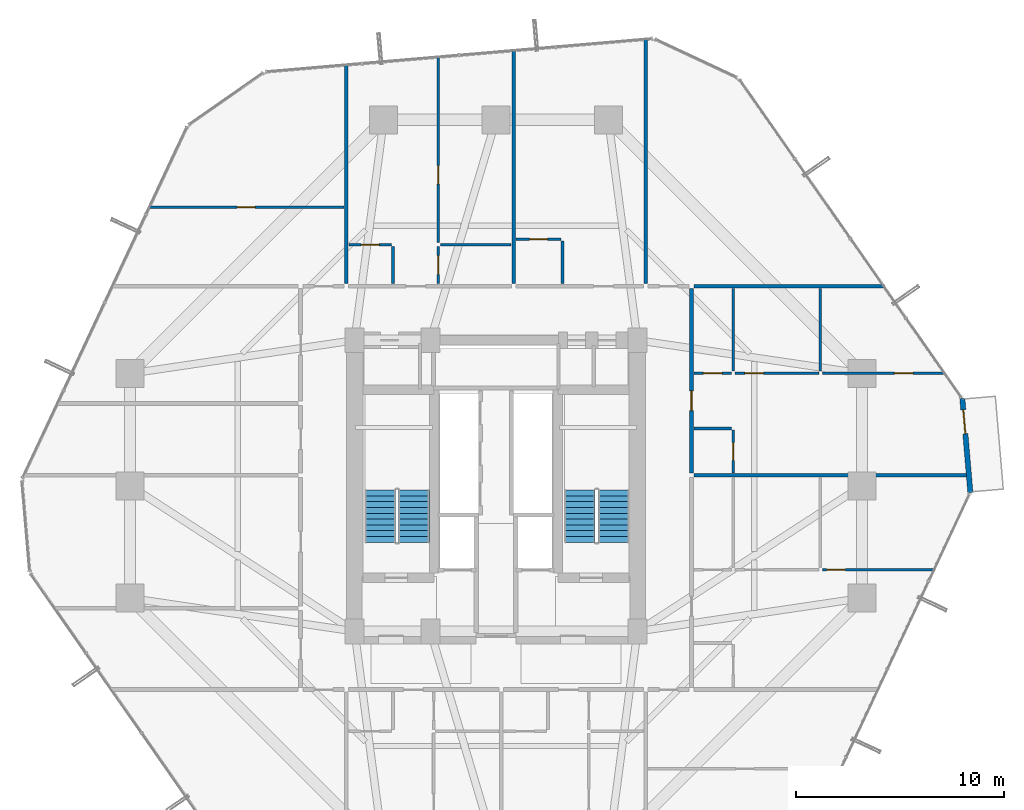
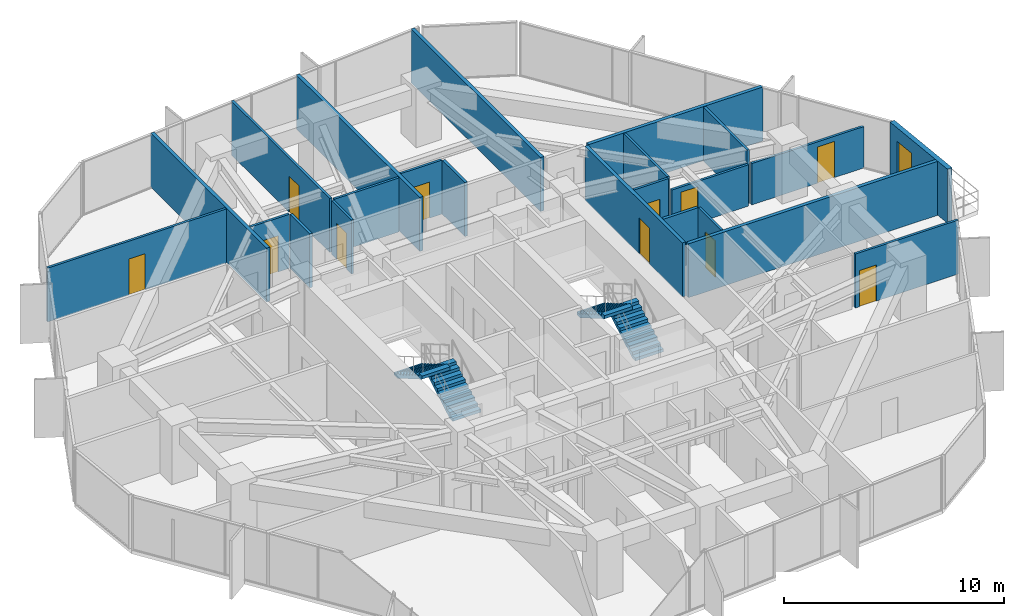
# One storey, part 35 of 37: 23 walls, 12 doors, 4 stair flights, 12 openings, 2 elements without a shape of their own.
"""IFC4 building model written with IfcOpenShell, lengths in metres."""

from ifc_helpers import new_model, si_unit, direction, frame, frame_2d, origin, place, context, subcontext, project, spatial, polyline, rectangle, outline, extrude, source, transform, mapped, material, layer, layer_set, type_object, element, fill, aggregate, save


model = new_model("IFC4")

# Units and contexts
model_context = context("Model", 3, precision=1e-05, world=origin(), true_north=direction((0.0, 1.0)))
body_context = subcontext(model_context, "Body", "Model", "MODEL_VIEW")
ifc_project = project(units=[si_unit("LENGTHUNIT", "METRE"), si_unit("AREAUNIT", "SQUARE_METRE"), si_unit("VOLUMEUNIT", "CUBIC_METRE"), si_unit("PLANEANGLEUNIT", "RADIAN"), si_unit("MASSUNIT", "GRAM", prefix="KILO")], contexts=[model_context])

# Site, building, storey
site_placement = place(None, origin())
site = spatial("IfcSite", under=ifc_project, at=site_placement, CompositionType="ELEMENT")
building_placement = place(site_placement, origin())
building = spatial("IfcBuilding", under=site, at=building_placement, Name="Veraguas Prism Commons", CompositionType="ELEMENT")
storey_placement = place(building_placement, frame((0.0, 0.0, 40.300048828125)))
storey = spatial("IfcBuildingStorey", under=building, at=storey_placement, Name="L10", CompositionType="ELEMENT", Elevation=40.300048828125)

# Walls
ifc_material_1 = material(Name="Autoclaved aerated masonry block 10 MPa", Category="masonry")
ifc_layer_1 = layer(ifc_material_1, 0.179931640625, Name="Corridor and Inter-Tenancy Partition 180", Category="masonry")
ifc_layer_set_1 = layer_set([ifc_layer_1], Name="Autoclaved aerated masonry block 10 MPa")
wall_type_1 = type_object("IfcWallType", Name="Corridor and Inter-Tenancy Partition 180", PredefinedType="PARTITIONING", material=ifc_layer_set_1)
wall_1_placement = place(storey_placement, frame((16.800048828125, 33.719970703125, 0.0), z_axis=(0.0, 0.0, 1.0), x_axis=(0.0, 1.0, 0.0)))
element("IfcWall", 1, at=wall_1_placement, inside=storey, type_object=wall_type_1, Name="WL-L10-PT016", PredefinedType="PARTITIONING", context=body_context, shape_type="SweptSolid", body=[
    extrude(rectangle(XDim=10.5537109375, YDim=0.179931640625, at=frame_2d((5.27685546875, 0.0))), origin(), (0.0, 0.0, 1.0), 3.0),
])
wall_2_placement = place(storey_placement, frame((31.199951171875, 33.719970703125, 0.0), z_axis=(0.0, 0.0, 1.0), x_axis=(0.0, 1.0, 0.0)))
element("IfcWall", 2, at=wall_2_placement, inside=storey, type_object=wall_type_1, Name="WL-L10-PT017", PredefinedType="PARTITIONING", context=body_context, shape_type="SweptSolid", body=[
    extrude(rectangle(XDim=11.788330078125, YDim=0.179931640625, at=frame_2d((5.89404296875, 0.0))), origin(), (0.0, 0.0, 1.0), 3.0),
])
wall_3_placement = place(storey_placement, frame((24.85205078125, 33.719970703125, 0.0), z_axis=(0.0, 0.0, 1.0), x_axis=(0.0, 1.0, 0.0)))
element("IfcWall", 3, at=wall_3_placement, inside=storey, type_object=wall_type_1, Name="WL-L10-PT024", PredefinedType="PARTITIONING", context=body_context, shape_type="SweptSolid", body=[
    extrude(rectangle(XDim=11.244140625, YDim=0.179931640625, at=frame_2d((5.6220703125, 0.0))), origin(), (0.0, 0.0, 1.0), 3.0),
])
wall_4_placement = place(storey_placement, frame((33.52001953125, 33.60009765625, 0.0), z_axis=(0.0, 0.0, 1.0), x_axis=(1.0, 0.0, 0.0)))
element("IfcWall", 4, at=wall_4_placement, inside=storey, type_object=wall_type_1, Name="WL-L10-PT038", PredefinedType="PARTITIONING", context=body_context, shape_type="SweptSolid", body=[
    extrude(rectangle(XDim=9.161865234375, YDim=0.179931640625, at=frame_2d((4.5810546875, 0.0))), origin(), (0.0, 0.0, 1.0), 3.0),
])
wall_5_placement = place(storey_placement, frame((33.52001953125, 24.508056640625, 0.0), z_axis=(0.0, 0.0, 1.0), x_axis=(1.0, 0.0, 0.0)))
element("IfcWall", 5, at=wall_5_placement, inside=storey, type_object=wall_type_1, Name="WL-L10-PT047", PredefinedType="PARTITIONING", context=body_context, shape_type="SweptSolid", body=[
    extrude(rectangle(XDim=13.250732421875, YDim=0.179931640625, at=frame_2d((6.62548828125, 0.0))), origin(), (0.0, 0.0, 1.0), 3.0),
])

# Wall, opening, door
wall_6_placement = place(storey_placement, frame((33.39990234375, 24.617919921875, 0.0), z_axis=(0.0, 0.0, 1.0), x_axis=(0.0, 1.0, 0.0)))
wall_6 = element("IfcWall", 6, at=wall_6_placement, inside=storey, type_object=wall_type_1, Name="WL-L10-PT048", PredefinedType="PARTITIONING", context=body_context, shape_type="SweptSolid", body=[
    extrude(rectangle(XDim=8.8720703125, YDim=0.179931640625, at=frame_2d((4.43603515625, 0.0))), origin(), (0.0, 0.0, 1.0), 3.0),
])
opening_1_placement = place(wall_6_placement, frame((2.9951171875, 0.0, 0.0)))
opening_1 = element("IfcOpeningElement", 7, at=opening_1_placement, cuts=wall_6, Name="Opening DR-01", PredefinedType="OPENING", context=body_context, shape_type="SweptSolid", body=[
    extrude(rectangle(XDim=0.949951171875, YDim=2.02001953125, at=frame_2d((0.47509765625, 1.010009765625))), frame((0.0, 0.099853515625, 0.0), z_axis=(0.0, -1.0, 0.0), x_axis=(1.0, 0.0, 0.0)), (0.0, 0.0, 1.0), 0.199951171875),
])
ifc_material_2 = material(Name="Anodised aluminium EN AW-6063 T6", Category="aluminium")
door_type_1 = type_object("IfcDoorType", Name="Apartment Entrance Fire Door 950x2020", OperationType="NOTDEFINED", PredefinedType="DOOR", material=ifc_material_2)
shared_shape_1 = source(origin(), body_context, "Body", "SweptSolid", [
    extrude(rectangle(XDim=0.949951171875, YDim=2.02001953125, at=frame_2d((0.47509765625, 1.010009765625))), frame((0.0, 0.02490234375, 0.0), z_axis=(0.0, -1.0, 0.0), x_axis=(1.0, 0.0, 0.0)), (0.0, 0.0, 1.0), 0.050048828125),
])
door_1_placement = place(opening_1_placement, origin())
door_1 = element("IfcDoor", 8, at=door_1_placement, inside=storey, type_object=door_type_1, Name="Flat 10F Entrance Door", OperationType="SINGLE_SWING_RIGHT", OverallHeight=2.02001953125, OverallWidth=0.949951171875, PredefinedType="DOOR", context=body_context, shape_type="MappedRepresentation", body=[
    mapped(shared_shape_1, transform((0.0, 0.0, 0.0), scale=1.0)),
])
fill(opening_1, door_1)

ifc_material_3 = material(Name="Precast concrete C40/50", Category="concrete")
ifc_layer_2 = layer(ifc_material_3, 0.25, Name="External Loggia and Portal Wall 250", Category="concrete")
ifc_layer_set_2 = layer_set([ifc_layer_2], Name="Precast concrete C40/50")
wall_type_2 = type_object("IfcWallType", Name="External Loggia and Portal Wall 250", PredefinedType="SOLIDWALL", material=ifc_layer_set_2)
wall_7_placement = place(storey_placement, frame((46.813720703125, 23.657470703125, 0.0), z_axis=(0.0, 0.0, 1.0), x_axis=(-0.085449522707, 0.996342500885, 0.0)))
wall_7 = element("IfcWall", 9, at=wall_7_placement, inside=storey, type_object=wall_type_2, Name="Corner Loggia Wall L10-C1", PredefinedType="SOLIDWALL", context=body_context, shape_type="SweptSolid", body=[
    extrude(rectangle(XDim=4.580078125, YDim=0.25, at=frame_2d((2.2900390625, 0.0))), origin(), (0.0, 0.0, 1.0), 3.0),
])
opening_2_placement = place(wall_7_placement, frame((2.860107421875, 0.0, 0.0)))
opening_2 = element("IfcOpeningElement", 10, at=opening_2_placement, cuts=wall_7, Name="Opening DR-10", PredefinedType="OPENING", context=body_context, shape_type="SweptSolid", body=[
    extrude(rectangle(XDim=1.14990234375, YDim=2.25, at=frame_2d((0.574951171875, 1.125))), frame((0.0, 0.135009765625, 0.0), z_axis=(0.0, -1.0, 0.0), x_axis=(1.0, 0.0, 0.0)), (0.0, 0.0, 1.0), 0.27001953125),
])
door_type_2 = type_object("IfcDoorType", Name="Glazed Loggia and Terrace Door 1150x2250", OperationType="NOTDEFINED", PredefinedType="DOOR", material=ifc_material_2)
shared_shape_2 = source(origin(), body_context, "Body", "SweptSolid", [
    extrude(rectangle(XDim=1.14990234375, YDim=2.25, at=frame_2d((0.574951171875, 1.125))), frame((0.0, 0.02490234375, 0.0), z_axis=(0.0, -1.0, 0.0), x_axis=(1.0, 0.0, 0.0)), (0.0, 0.0, 1.0), 0.050048828125),
])
door_2_placement = place(opening_2_placement, frame((1.14990234375, 0.0, 0.0), z_axis=(0.0, 0.0, 1.0), x_axis=(-1.0, 0.0, 0.0)))
door_2 = element("IfcDoor", 11, at=door_2_placement, inside=storey, type_object=door_type_2, Name="Recessed Loggia Door L10-C1", OperationType="SINGLE_SWING_RIGHT", OverallHeight=2.25, OverallWidth=1.14990234375, PredefinedType="DOOR", context=body_context, shape_type="MappedRepresentation", body=[
    mapped(shared_shape_2, transform((0.0, 0.0, 0.0), scale=1.0)),
])
fill(opening_2, door_2)

ifc_material_4 = material(Name="Lightweight acoustic gypsum board")
ifc_layer_3 = layer(ifc_material_4, 0.125, Name="Internal Apartment Room Partition 125")
ifc_layer_set_3 = layer_set([ifc_layer_3], Name="Lightweight acoustic gypsum board")
wall_type_3 = type_object("IfcWallType", Name="Internal Apartment Room Partition 125", PredefinedType="PARTITIONING", material=ifc_layer_set_3)
wall_8_placement = place(storey_placement, frame((16.919921875, 35.60009765625, 0.0), z_axis=(0.0, 0.0, 1.0), x_axis=(1.0, 0.0, 0.0)))
wall_8 = element("IfcWall", 12, at=wall_8_placement, inside=storey, type_object=wall_type_3, Name="WL-L10-PT020", PredefinedType="PARTITIONING", context=body_context, shape_type="SweptSolid", body=[
    extrude(rectangle(XDim=2.050048828125, YDim=0.125, at=frame_2d((1.02490234375, 0.0))), origin(), (0.0, 0.0, 1.0), 3.0),
])
opening_3_placement = place(wall_8_placement, frame((0.594970703125, 0.0, 0.0)))
opening_3 = element("IfcOpeningElement", 13, at=opening_3_placement, cuts=wall_8, Name="Opening DR-03", PredefinedType="OPENING", context=body_context, shape_type="SweptSolid", body=[
    extrude(rectangle(XDim=0.860107421875, YDim=2.010009765625, at=frame_2d((0.43017578125, 1.0048828125))), frame((0.0, 0.072509765625, 0.0), z_axis=(0.0, -1.0, 0.0), x_axis=(1.0, 0.0, 0.0)), (0.0, 0.0, 1.0), 0.14501953125),
])
ifc_material_5 = material(Name="Timber moisture-resistant leaf", Category="wood")
door_type_3 = type_object("IfcDoorType", Name="Internal Bathroom Door 860x2010", OperationType="NOTDEFINED", PredefinedType="DOOR", material=ifc_material_5)
shared_shape_3 = source(origin(), body_context, "Body", "SweptSolid", [
    extrude(rectangle(XDim=0.860107421875, YDim=2.010009765625, at=frame_2d((0.43017578125, 1.0048828125))), frame((0.0, 0.02490234375, 0.0), z_axis=(0.0, -1.0, 0.0), x_axis=(1.0, 0.0, 0.0)), (0.0, 0.0, 1.0), 0.050048828125),
])
door_3_placement = place(opening_3_placement, origin())
door_3 = element("IfcDoor", 14, at=door_3_placement, inside=storey, type_object=door_type_3, Name="Flat 10C Bathroom Door", OperationType="SINGLE_SWING_RIGHT", OverallHeight=2.010009765625, OverallWidth=0.860107421875, PredefinedType="DOOR", context=body_context, shape_type="MappedRepresentation", body=[
    mapped(shared_shape_3, transform((0.0, 0.0, 0.0), scale=1.0)),
])
fill(opening_3, door_3)

wall_9_placement = place(storey_placement, frame((21.22900390625, 33.719970703125, 0.0), z_axis=(0.0, 0.0, 1.0), x_axis=(0.0, 1.0, 0.0)))
wall_9 = element("IfcWall", 15, at=wall_9_placement, inside=storey, type_object=wall_type_3, Name="WL-L10-PT021", PredefinedType="PARTITIONING", context=body_context, shape_type="SweptSolid", body=[
    extrude(rectangle(XDim=1.800048828125, YDim=0.125, at=frame_2d((0.89990234375, 0.0))), origin(), (0.0, 0.0, 1.0), 3.0),
])
opening_4_placement = place(wall_9_placement, frame((0.449951171875, 0.0, 0.0)))
opening_4 = element("IfcOpeningElement", 16, at=opening_4_placement, cuts=wall_9, Name="Opening DR-02", PredefinedType="OPENING", context=body_context, shape_type="SweptSolid", body=[
    extrude(rectangle(XDim=0.89990234375, YDim=2.010009765625, at=frame_2d((0.449951171875, 1.0048828125))), frame((0.0, 0.072509765625, 0.0), z_axis=(0.0, -1.0, 0.0), x_axis=(1.0, 0.0, 0.0)), (0.0, 0.0, 1.0), 0.14501953125),
])
ifc_material_6 = material(Name="Timber solid core hardwood", Category="wood")
door_type_4 = type_object("IfcDoorType", Name="Internal Habitable Room Door 900x2010", OperationType="NOTDEFINED", PredefinedType="DOOR", material=ifc_material_6)
shared_shape_4 = source(origin(), body_context, "Body", "SweptSolid", [
    extrude(rectangle(XDim=0.89990234375, YDim=2.010009765625, at=frame_2d((0.449951171875, 1.0048828125))), frame((0.0, 0.02490234375, 0.0), z_axis=(0.0, -1.0, 0.0), x_axis=(1.0, 0.0, 0.0)), (0.0, 0.0, 1.0), 0.050048828125),
])
door_4_placement = place(opening_4_placement, origin())
door_4 = element("IfcDoor", 17, at=door_4_placement, inside=storey, type_object=door_type_4, Name="Flat 10C Kitchen Door", OperationType="SINGLE_SWING_LEFT", OverallHeight=2.010009765625, OverallWidth=0.89990234375, PredefinedType="DOOR", context=body_context, shape_type="MappedRepresentation", body=[
    mapped(shared_shape_4, transform((0.0, 0.0, 0.0), scale=1.0)),
])
fill(opening_4, door_4)

# Wall
wall_10_placement = place(storey_placement, frame((21.3291015625, 35.60009765625, 0.0), z_axis=(0.0, 0.0, 1.0), x_axis=(1.0, 0.0, 0.0)))
element("IfcWall", 18, at=wall_10_placement, inside=storey, type_object=wall_type_3, Name="WL-L10-PT022", PredefinedType="PARTITIONING", context=body_context, shape_type="SweptSolid", body=[
    extrude(rectangle(XDim=3.40283203125, YDim=0.125, at=frame_2d((1.701416015625, 0.0))), origin(), (0.0, 0.0, 1.0), 3.0),
])

# Wall, opening, door
wall_11_placement = place(storey_placement, frame((21.22900390625, 35.699951171875, 0.0), z_axis=(0.0, 0.0, 1.0), x_axis=(0.0, 1.0, 0.0)))
wall_11 = element("IfcWall", 19, at=wall_11_placement, inside=storey, type_object=wall_type_3, Name="WL-L10-PT023", PredefinedType="PARTITIONING", context=body_context, shape_type="SweptSolid", body=[
    extrude(rectangle(XDim=8.953369140625, YDim=0.125, at=frame_2d((4.4765625, 0.0))), origin(), (0.0, 0.0, 1.0), 3.0),
])
opening_5_placement = place(wall_11_placement, frame((2.80224609375, 0.0, 0.0)))
opening_5 = element("IfcOpeningElement", 20, at=opening_5_placement, cuts=wall_11, Name="Opening DR-02", PredefinedType="OPENING", context=body_context, shape_type="SweptSolid", body=[
    extrude(rectangle(XDim=0.89990234375, YDim=2.010009765625, at=frame_2d((0.449951171875, 1.0048828125))), frame((0.0, 0.072509765625, 0.0), z_axis=(0.0, -1.0, 0.0), x_axis=(1.0, 0.0, 0.0)), (0.0, 0.0, 1.0), 0.14501953125),
])
door_5_placement = place(opening_5_placement, origin())
door_5 = element("IfcDoor", 21, at=door_5_placement, inside=storey, type_object=door_type_4, Name="Flat 10C Bedroom 1 Door", OperationType="SINGLE_SWING_RIGHT", OverallHeight=2.010009765625, OverallWidth=0.89990234375, PredefinedType="DOOR", context=body_context, shape_type="MappedRepresentation", body=[
    mapped(shared_shape_4, transform((0.0, 0.0, 0.0), scale=1.0)),
])
fill(opening_5, door_5)

wall_12_placement = place(storey_placement, frame((24.971923828125, 35.85009765625, 0.0), z_axis=(0.0, 0.0, 1.0), x_axis=(1.0, 0.0, 0.0)))
wall_12 = element("IfcWall", 22, at=wall_12_placement, inside=storey, type_object=wall_type_3, Name="WL-L10-PT027", PredefinedType="PARTITIONING", context=body_context, shape_type="SweptSolid", body=[
    extrude(rectangle(XDim=2.150146484375, YDim=0.125, at=frame_2d((1.0751953125, 0.0))), origin(), (0.0, 0.0, 1.0), 3.0),
])
opening_6_placement = place(wall_12_placement, frame((0.64501953125, 0.0, 0.0)))
opening_6 = element("IfcOpeningElement", 23, at=opening_6_placement, cuts=wall_12, Name="Opening DR-03", PredefinedType="OPENING", context=body_context, shape_type="SweptSolid", body=[
    extrude(rectangle(XDim=0.860107421875, YDim=2.010009765625, at=frame_2d((0.43017578125, 1.0048828125))), frame((0.0, 0.072509765625, 0.0), z_axis=(0.0, -1.0, 0.0), x_axis=(1.0, 0.0, 0.0)), (0.0, 0.0, 1.0), 0.14501953125),
])
door_6_placement = place(opening_6_placement, origin())
door_6 = element("IfcDoor", 24, at=door_6_placement, inside=storey, type_object=door_type_3, Name="Studio 10D Bathroom Door", OperationType="SINGLE_SWING_RIGHT", OverallHeight=2.010009765625, OverallWidth=0.860107421875, PredefinedType="DOOR", context=body_context, shape_type="MappedRepresentation", body=[
    mapped(shared_shape_3, transform((0.0, 0.0, 0.0), scale=1.0)),
])
fill(opening_6, door_6)

wall_13_placement = place(storey_placement, frame((39.699951171875, 19.971923828125, 0.0), z_axis=(0.0, 0.0, 1.0), x_axis=(1.0, 0.0, 0.0)))
wall_13 = element("IfcWall", 25, at=wall_13_placement, inside=storey, type_object=wall_type_3, Name="WL-L10-PT046", PredefinedType="PARTITIONING", context=body_context, shape_type="SweptSolid", body=[
    extrude(rectangle(XDim=5.3984375, YDim=0.125, at=frame_2d((2.69921875, 0.0))), origin(), (0.0, 0.0, 1.0), 3.0),
])
opening_7_placement = place(wall_13_placement, frame((0.199951171875, 0.0, 0.0)))
opening_7 = element("IfcOpeningElement", 26, at=opening_7_placement, cuts=wall_13, Name="Opening DR-02", PredefinedType="OPENING", context=body_context, shape_type="SweptSolid", body=[
    extrude(rectangle(XDim=0.89990234375, YDim=2.010009765625, at=frame_2d((0.449951171875, 1.0048828125))), frame((0.0, 0.072509765625, 0.0), z_axis=(0.0, -1.0, 0.0), x_axis=(1.0, 0.0, 0.0)), (0.0, 0.0, 1.0), 0.14501953125),
])
door_7_placement = place(opening_7_placement, origin())
door_7 = element("IfcDoor", 27, at=door_7_placement, inside=storey, type_object=door_type_4, Name="Flat 10E Bedroom 2 Door", OperationType="SINGLE_SWING_LEFT", OverallHeight=2.010009765625, OverallWidth=0.89990234375, PredefinedType="DOOR", context=body_context, shape_type="MappedRepresentation", body=[
    mapped(shared_shape_4, transform((0.0, 0.0, 0.0), scale=1.0)),
])
fill(opening_7, door_7)

wall_14_placement = place(storey_placement, frame((35.39990234375, 24.6279296875, 0.0), z_axis=(0.0, 0.0, 1.0), x_axis=(0.0, 1.0, 0.0)))
wall_14 = element("IfcWall", 28, at=wall_14_placement, inside=storey, type_object=wall_type_3, Name="WL-L10-PT050", PredefinedType="PARTITIONING", context=body_context, shape_type="SweptSolid", body=[
    extrude(rectangle(XDim=2.050048828125, YDim=0.125, at=frame_2d((1.02490234375, 0.0))), origin(), (0.0, 0.0, 1.0), 3.0),
])
opening_8_placement = place(wall_14_placement, frame((0.594970703125, 0.0, 0.0)))
opening_8 = element("IfcOpeningElement", 29, at=opening_8_placement, cuts=wall_14, Name="Opening DR-03", PredefinedType="OPENING", context=body_context, shape_type="SweptSolid", body=[
    extrude(rectangle(XDim=0.860107421875, YDim=2.010009765625, at=frame_2d((0.43017578125, 1.0048828125))), frame((0.0, 0.072509765625, 0.0), z_axis=(0.0, -1.0, 0.0), x_axis=(1.0, 0.0, 0.0)), (0.0, 0.0, 1.0), 0.14501953125),
])
door_8_placement = place(opening_8_placement, origin())
door_8 = element("IfcDoor", 30, at=door_8_placement, inside=storey, type_object=door_type_3, Name="Flat 10F Bathroom Door", OperationType="SINGLE_SWING_LEFT", OverallHeight=2.010009765625, OverallWidth=0.860107421875, PredefinedType="DOOR", context=body_context, shape_type="MappedRepresentation", body=[
    mapped(shared_shape_3, transform((0.0, 0.0, 0.0), scale=1.0)),
])
fill(opening_8, door_8)

wall_15_placement = place(storey_placement, frame((33.52001953125, 29.41796875, 0.0), z_axis=(0.0, 0.0, 1.0), x_axis=(1.0, 0.0, 0.0)))
wall_15 = element("IfcWall", 31, at=wall_15_placement, inside=storey, type_object=wall_type_3, Name="WL-L10-PT051", PredefinedType="PARTITIONING", context=body_context, shape_type="SweptSolid", body=[
    extrude(rectangle(XDim=1.800048828125, YDim=0.125, at=frame_2d((0.89990234375, 0.0))), origin(), (0.0, 0.0, 1.0), 3.0),
])
opening_9_placement = place(wall_15_placement, frame((0.449951171875, 0.0, 0.0)))
opening_9 = element("IfcOpeningElement", 32, at=opening_9_placement, cuts=wall_15, Name="Opening DR-02", PredefinedType="OPENING", context=body_context, shape_type="SweptSolid", body=[
    extrude(rectangle(XDim=0.89990234375, YDim=2.010009765625, at=frame_2d((0.449951171875, 1.0048828125))), frame((0.0, 0.072509765625, 0.0), z_axis=(0.0, -1.0, 0.0), x_axis=(1.0, 0.0, 0.0)), (0.0, 0.0, 1.0), 0.14501953125),
])
door_9_placement = place(opening_9_placement, origin())
door_9 = element("IfcDoor", 33, at=door_9_placement, inside=storey, type_object=door_type_4, Name="Flat 10F Kitchen Door", OperationType="SINGLE_SWING_RIGHT", OverallHeight=2.010009765625, OverallWidth=0.89990234375, PredefinedType="DOOR", context=body_context, shape_type="MappedRepresentation", body=[
    mapped(shared_shape_4, transform((0.0, 0.0, 0.0), scale=1.0)),
])
fill(opening_9, door_9)

# Walls
for number, where, z_axis, x_axis, name in (
    (34, (35.39990234375, 29.51806640625, 0.0), (0.0, 0.0, 1.0), (0.0, 1.0, 0.0), "WL-L10-PT052"),
    (35, (39.60009765625, 29.51806640625, 0.0), (0.0, 0.0, 1.0), (0.0, 1.0, 0.0), "WL-L10-PT053"),
):
    element("IfcWall", number, at=place(storey_placement, frame(where, z_axis=z_axis, x_axis=x_axis)), inside=storey, type_object=wall_type_3, Name=name, PredefinedType="PARTITIONING", context=body_context, shape_type="SweptSolid", body=[
        extrude(rectangle(XDim=3.9619140625, YDim=0.125, at=frame_2d((1.98095703125, 0.0))), origin(), (0.0, 0.0, 1.0), 3.0),
    ])

# Wall, opening, door
wall_16_placement = place(storey_placement, frame((35.5, 29.41796875, 0.0), z_axis=(0.0, 0.0, 1.0), x_axis=(1.0, 0.0, 0.0)))
wall_16 = element("IfcWall", 36, at=wall_16_placement, inside=storey, type_object=wall_type_3, Name="WL-L10-PT054", PredefinedType="PARTITIONING", context=body_context, shape_type="SweptSolid", body=[
    extrude(rectangle(XDim=4.02001953125, YDim=0.125, at=frame_2d((2.010009765625, 0.0))), origin(), (0.0, 0.0, 1.0), 2.299072265625),
])
opening_10_placement = place(wall_16_placement, frame((0.471923828125, 0.0, 0.0)))
opening_10 = element("IfcOpeningElement", 37, at=opening_10_placement, cuts=wall_16, Name="Opening DR-02", PredefinedType="OPENING", context=body_context, shape_type="SweptSolid", body=[
    extrude(rectangle(XDim=0.89990234375, YDim=2.010009765625, at=frame_2d((0.449951171875, 1.0048828125))), frame((0.0, 0.072509765625, 0.0), z_axis=(0.0, -1.0, 0.0), x_axis=(1.0, 0.0, 0.0)), (0.0, 0.0, 1.0), 0.14501953125),
])
door_10_placement = place(opening_10_placement, origin())
door_10 = element("IfcDoor", 38, at=door_10_placement, inside=storey, type_object=door_type_4, Name="Flat 10F Bedroom 1 Door", OperationType="SINGLE_SWING_LEFT", OverallHeight=2.010009765625, OverallWidth=0.89990234375, PredefinedType="DOOR", context=body_context, shape_type="MappedRepresentation", body=[
    mapped(shared_shape_4, transform((0.0, 0.0, 0.0), scale=1.0)),
])
fill(opening_10, door_10)

wall_17_placement = place(storey_placement, frame((39.699951171875, 29.41796875, 0.0), z_axis=(0.0, 0.0, 1.0), x_axis=(1.0, 0.0, 0.0)))
wall_17 = element("IfcWall", 39, at=wall_17_placement, inside=storey, type_object=wall_type_3, Name="WL-L10-PT055", PredefinedType="PARTITIONING", context=body_context, shape_type="SweptSolid", body=[
    extrude(rectangle(XDim=5.8994140625, YDim=0.125, at=frame_2d((2.94970703125, 0.0))), origin(), (0.0, 0.0, 1.0), 2.299072265625),
])
opening_11_placement = place(wall_17_placement, frame((3.457763671875, 0.0, 0.0)))
opening_11 = element("IfcOpeningElement", 40, at=opening_11_placement, cuts=wall_17, Name="Opening DR-02", PredefinedType="OPENING", context=body_context, shape_type="SweptSolid", body=[
    extrude(rectangle(XDim=0.89990234375, YDim=2.010009765625, at=frame_2d((0.449951171875, 1.0048828125))), frame((0.0, 0.072509765625, 0.0), z_axis=(0.0, -1.0, 0.0), x_axis=(1.0, 0.0, 0.0)), (0.0, 0.0, 1.0), 0.14501953125),
])
door_11_placement = place(opening_11_placement, origin())
door_11 = element("IfcDoor", 41, at=door_11_placement, inside=storey, type_object=door_type_4, Name="Flat 10F Bedroom 2 Door", OperationType="SINGLE_SWING_RIGHT", OverallHeight=2.010009765625, OverallWidth=0.89990234375, PredefinedType="DOOR", context=body_context, shape_type="MappedRepresentation", body=[
    mapped(shared_shape_4, transform((0.0, 0.0, 0.0), scale=1.0)),
])
fill(opening_11, door_11)

wall_18_placement = place(storey_placement, frame((7.2919921875, 37.39990234375, 0.0), z_axis=(0.0, 0.0, 1.0), x_axis=(1.0, 0.0, 0.0)))
wall_18 = element("IfcWall", 42, at=wall_18_placement, inside=storey, type_object=wall_type_3, Name="WL-L10-PT060", PredefinedType="PARTITIONING", context=body_context, shape_type="SweptSolid", body=[
    extrude(rectangle(XDim=9.387939453125, YDim=0.125, at=frame_2d((4.69384765625, 0.0))), origin(), (0.0, 0.0, 1.0), 3.0),
])
opening_12_placement = place(wall_18_placement, frame((4.26416015625, 0.0, 0.0)))
opening_12 = element("IfcOpeningElement", 43, at=opening_12_placement, cuts=wall_18, Name="Opening DR-03", PredefinedType="OPENING", context=body_context, shape_type="SweptSolid", body=[
    extrude(rectangle(XDim=0.860107421875, YDim=2.010009765625, at=frame_2d((0.43017578125, 1.0048828125))), frame((0.0, 0.072509765625, 0.0), z_axis=(0.0, -1.0, 0.0), x_axis=(1.0, 0.0, 0.0)), (0.0, 0.0, 1.0), 0.14501953125),
])
door_12_placement = place(opening_12_placement, origin())
door_12 = element("IfcDoor", 44, at=door_12_placement, inside=storey, type_object=door_type_3, Name="Corner Store NW Door", OperationType="SINGLE_SWING_LEFT", OverallHeight=2.010009765625, OverallWidth=0.860107421875, PredefinedType="DOOR", context=body_context, shape_type="MappedRepresentation", body=[
    mapped(shared_shape_3, transform((0.0, 0.0, 0.0), scale=1.0)),
])
fill(opening_12, door_12)

# Walls
ifc_layer_4 = layer(ifc_material_4, 0.14990234375, Name="Wet Room and Clinic Acoustic Partition 150")
ifc_layer_set_4 = layer_set([ifc_layer_4], Name="Lightweight acoustic gypsum board")
wall_type_4 = type_object("IfcWallType", Name="Wet Room and Clinic Acoustic Partition 150", PredefinedType="PARTITIONING", material=ifc_layer_set_4)
wall_19_placement = place(storey_placement, frame((19.050048828125, 33.719970703125, 0.0), z_axis=(0.0, 0.0, 1.0), x_axis=(0.0, 1.0, 0.0)))
element("IfcWall", 45, at=wall_19_placement, inside=storey, type_object=wall_type_4, Name="WL-L10-PT019", PredefinedType="PARTITIONING", context=body_context, shape_type="SweptSolid", body=[
    extrude(rectangle(XDim=1.800048828125, YDim=0.14990234375, at=frame_2d((0.89990234375, 0.0))), origin(), (0.0, 0.0, 1.0), 3.0),
])
wall_20_placement = place(storey_placement, frame((27.201904296875, 33.719970703125, 0.0), z_axis=(0.0, 0.0, 1.0), x_axis=(0.0, 1.0, 0.0)))
element("IfcWall", 46, at=wall_20_placement, inside=storey, type_object=wall_type_4, Name="WL-L10-PT026", PredefinedType="PARTITIONING", context=body_context, shape_type="SweptSolid", body=[
    extrude(rectangle(XDim=2.050048828125, YDim=0.14990234375, at=frame_2d((1.02490234375, 0.0))), origin(), (0.0, 0.0, 1.0), 3.0),
])
wall_21_placement = place(storey_placement, frame((33.52001953125, 26.758056640625, 0.0), z_axis=(0.0, 0.0, 1.0), x_axis=(1.0, 0.0, 0.0)))
element("IfcWall", 47, at=wall_21_placement, inside=storey, type_object=wall_type_4, Name="WL-L10-PT049", PredefinedType="PARTITIONING", context=body_context, shape_type="SweptSolid", body=[
    extrude(rectangle(XDim=1.800048828125, YDim=0.14990234375, at=frame_2d((0.89990234375, 0.0))), origin(), (0.0, 0.0, 1.0), 3.0),
])

# Stair, stair flights
ifc_material_7 = material(Name="Precast concrete C45/55", Category="concrete")
stair_type = type_object("IfcStairType", Name="Dogleg Core Stair 1480W 20R 05", PredefinedType="HALF_TURN_STAIR", material=ifc_material_7)
stair_1_placement = place(storey_placement, origin())
stair_1 = element("IfcStair", 48, at=stair_1_placement, inside=storey, type_object=stair_type, Name="Protected Exit Stair ST-01 L10", PredefinedType="HALF_TURN_STAIR")
stair_flight_type = type_object("IfcStairFlightType", Name="Precast Stair Flight 1480W 10R 05", PredefinedType="STRAIGHT", material=ifc_material_7)
stair_flight_1_placement = place(storey_placement, frame((20.06005859375, 21.280029296875, 0.0), z_axis=(0.0, 0.0, 1.0), x_axis=(0.0, 1.0, 0.0)))
stair_flight_1 = element("IfcStairFlight", 49, at=stair_flight_1_placement, type_object=stair_flight_type, Name="ST-05 Flight 1", NumberOfRisers=10, NumberOfTreads=9, PredefinedType="STRAIGHT", RiserHeight=0.1625, TreadLength=0.28, context=body_context, shape_type="SweptSolid", body=[
    extrude(outline(polyline([(0.0, 0.0), (0.0, 0.16259765625), (0.280029296875, 0.16259765625), (0.280029296875, 0.324951171875), (0.56005859375, 0.324951171875), (0.56005859375, 0.487548828125), (0.840087890625, 0.487548828125), (0.840087890625, 0.64990234375), (1.1201171875, 0.64990234375), (1.1201171875, 0.8125), (1.39990234375, 0.8125), (1.39990234375, 0.97509765625), (1.679931640625, 0.97509765625), (1.679931640625, 1.137451171875), (1.9599609375, 1.137451171875), (1.9599609375, 1.300048828125), (2.239990234375, 1.300048828125), (2.239990234375, 1.46240234375), (2.52001953125, 1.46240234375), (2.52001953125, 1.625), (2.52001953125, 1.2890625), (0.298583984375, 0.0), (0.0, 0.0)])), frame((0.0, 0.739990234375, 0.0), z_axis=(0.0, -1.0, 0.0), x_axis=(1.0, 0.0, 0.0)), (0.0, 0.0, 1.0), 1.47998046875),
])
stair_flight_2_placement = place(storey_placement, frame((18.429931640625, 23.800048828125, 1.625), z_axis=(0.0, 0.0, 1.0), x_axis=(0.0, -1.0, 0.0)))
stair_flight_2 = element("IfcStairFlight", 50, at=stair_flight_2_placement, type_object=stair_flight_type, Name="ST-05 Flight 2", NumberOfRisers=10, NumberOfTreads=9, PredefinedType="STRAIGHT", RiserHeight=0.1625, TreadLength=0.28, context=body_context, shape_type="SweptSolid", body=[
    extrude(outline(polyline([(0.0, 0.0), (0.0, 0.16259765625), (0.280029296875, 0.16259765625), (0.280029296875, 0.324951171875), (0.56005859375, 0.324951171875), (0.56005859375, 0.487548828125), (0.840087890625, 0.487548828125), (0.840087890625, 0.64990234375), (1.1201171875, 0.64990234375), (1.1201171875, 0.8125), (1.39990234375, 0.8125), (1.39990234375, 0.97509765625), (1.679931640625, 0.97509765625), (1.679931640625, 1.137451171875), (1.9599609375, 1.137451171875), (1.9599609375, 1.300048828125), (2.239990234375, 1.300048828125), (2.239990234375, 1.46240234375), (2.52001953125, 1.46240234375), (2.52001953125, 1.625), (2.52001953125, 1.2890625), (0.298583984375, 0.0), (0.0, 0.0)])), frame((0.0, 0.739990234375, 0.0), z_axis=(0.0, -1.0, 0.0), x_axis=(1.0, 0.0, 0.0)), (0.0, 0.0, 1.0), 1.47998046875),
])
aggregate(stair_1, [stair_flight_1, stair_flight_2])

stair_2_placement = place(storey_placement, origin())
stair_2 = element("IfcStair", 51, at=stair_2_placement, inside=storey, type_object=stair_type, Name="Protected Exit Stair ST-02 L10", PredefinedType="HALF_TURN_STAIR")
stair_flight_3_placement = place(storey_placement, frame((29.659912109375, 21.280029296875, 0.0), z_axis=(0.0, 0.0, 1.0), x_axis=(0.0, 1.0, 0.0)))
stair_flight_3 = element("IfcStairFlight", 52, at=stair_flight_3_placement, type_object=stair_flight_type, Name="ST-05 Flight 1", NumberOfRisers=10, NumberOfTreads=9, PredefinedType="STRAIGHT", RiserHeight=0.1625, TreadLength=0.28, context=body_context, shape_type="SweptSolid", body=[
    extrude(outline(polyline([(0.0, 0.0), (0.0, 0.16259765625), (0.280029296875, 0.16259765625), (0.280029296875, 0.324951171875), (0.56005859375, 0.324951171875), (0.56005859375, 0.487548828125), (0.840087890625, 0.487548828125), (0.840087890625, 0.64990234375), (1.1201171875, 0.64990234375), (1.1201171875, 0.8125), (1.39990234375, 0.8125), (1.39990234375, 0.97509765625), (1.679931640625, 0.97509765625), (1.679931640625, 1.137451171875), (1.9599609375, 1.137451171875), (1.9599609375, 1.300048828125), (2.239990234375, 1.300048828125), (2.239990234375, 1.46240234375), (2.52001953125, 1.46240234375), (2.52001953125, 1.625), (2.52001953125, 1.2890625), (0.298583984375, 0.0), (0.0, 0.0)])), frame((0.0, 0.739990234375, 0.0), z_axis=(0.0, -1.0, 0.0), x_axis=(1.0, 0.0, 0.0)), (0.0, 0.0, 1.0), 1.47998046875),
])
stair_flight_4_placement = place(storey_placement, frame((28.030029296875, 23.800048828125, 1.625), z_axis=(0.0, 0.0, 1.0), x_axis=(0.0, -1.0, 0.0)))
stair_flight_4 = element("IfcStairFlight", 53, at=stair_flight_4_placement, type_object=stair_flight_type, Name="ST-05 Flight 2", NumberOfRisers=10, NumberOfTreads=9, PredefinedType="STRAIGHT", RiserHeight=0.1625, TreadLength=0.28, context=body_context, shape_type="SweptSolid", body=[
    extrude(outline(polyline([(0.0, 0.0), (0.0, 0.16259765625), (0.280029296875, 0.16259765625), (0.280029296875, 0.324951171875), (0.56005859375, 0.324951171875), (0.56005859375, 0.487548828125), (0.840087890625, 0.487548828125), (0.840087890625, 0.64990234375), (1.1201171875, 0.64990234375), (1.1201171875, 0.8125), (1.39990234375, 0.8125), (1.39990234375, 0.97509765625), (1.679931640625, 0.97509765625), (1.679931640625, 1.137451171875), (1.9599609375, 1.137451171875), (1.9599609375, 1.300048828125), (2.239990234375, 1.300048828125), (2.239990234375, 1.46240234375), (2.52001953125, 1.46240234375), (2.52001953125, 1.625), (2.52001953125, 1.2890625), (0.298583984375, 0.0), (0.0, 0.0)])), frame((0.0, 0.739990234375, 0.0), z_axis=(0.0, -1.0, 0.0), x_axis=(1.0, 0.0, 0.0)), (0.0, 0.0, 1.0), 1.47998046875),
])
aggregate(stair_2, [stair_flight_3, stair_flight_4])

save(model, "model.ifc")
